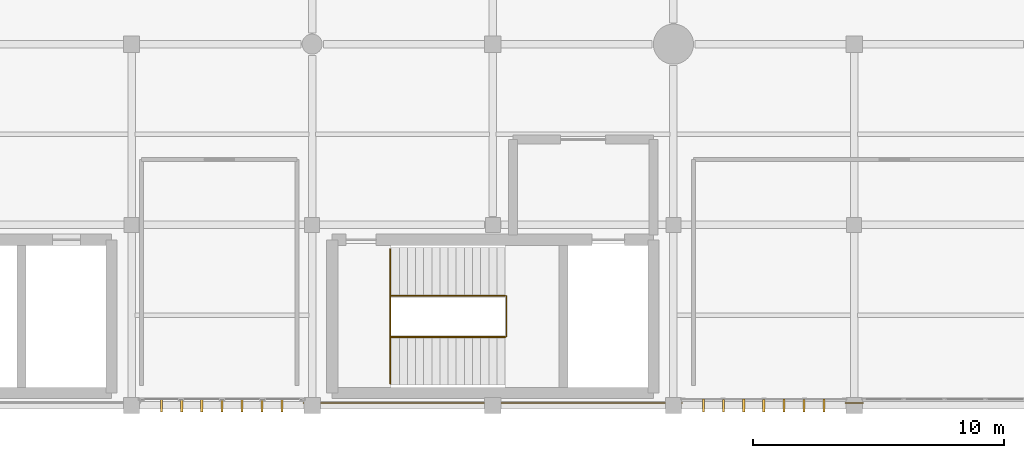
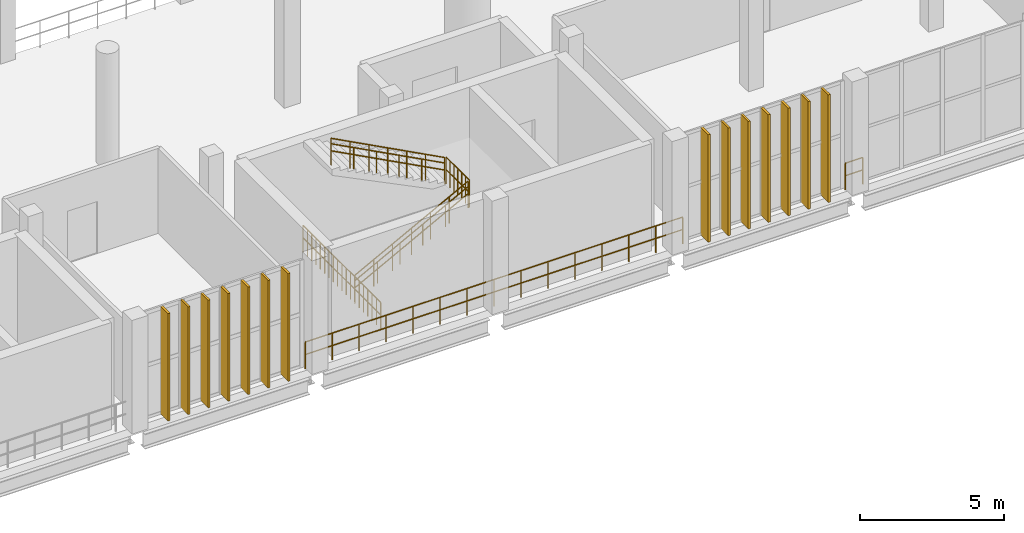
# One storey, part 93 of 105: 14 coverings, 8 railings.
"""IFC4 building model written with IfcOpenShell, lengths in metres."""

from ifc_helpers import new_model, si_unit, direction, frame, origin, origin_2d, place, context, subcontext, project, spatial, rectangle, circle, extrude, material, layer, layer_set, type_object, element, save


model = new_model("IFC4")

# Units and contexts
model_context = context("Model", 3, precision=1e-05, world=origin(), true_north=direction((0.0, 1.0)))
body_context = subcontext(model_context, "Body", "Model", "MODEL_VIEW")
ifc_project = project(units=[si_unit("LENGTHUNIT", "METRE"), si_unit("AREAUNIT", "SQUARE_METRE"), si_unit("VOLUMEUNIT", "CUBIC_METRE"), si_unit("PLANEANGLEUNIT", "RADIAN"), si_unit("MASSUNIT", "GRAM", prefix="KILO")], contexts=[model_context])

# Site, building, storey
site_placement = place(None, origin())
site = spatial("IfcSite", under=ifc_project, at=site_placement, CompositionType="ELEMENT")
building_placement = place(site_placement, origin())
building = spatial("IfcBuilding", under=site, at=building_placement, Name="Qandorah Velis Arena", CompositionType="ELEMENT")
storey_placement = place(building_placement, frame((0.0, 0.0, 13.800048828125)))
storey = spatial("IfcBuildingStorey", under=building, at=storey_placement, Name="L03", CompositionType="ELEMENT", Elevation=13.800048828125)

# Coverings
ifc_material_1 = material(Name="Champagne-bronze anodized aluminium 6063-T6", Category="aluminium")
ifc_layer = layer(ifc_material_1, 0.0849609375)
ifc_layer_set = layer_set([ifc_layer], Name="Champagne-bronze anodized aluminium 6063-T6")
covering_type = type_object("IfcCoveringType", Name="ARC-COV-FIN520", PredefinedType="CLADDING", material=ifc_layer_set)
for number, where, z_axis, x_axis, name in (
    (1, (66.0, -0.001953125, -0.01025390625), (0.0, 0.0, 1.0), (1.0, 0.0, 0.0), "Vertical champagne-bronze solar fin blade WNG-S-L03-09-001"),
    (2, (66.800048828125, -0.001953125, -0.01025390625), (0.0, 0.0, 1.0), (1.0, 0.0, 0.0), "Vertical champagne-bronze solar fin blade WNG-S-L03-09-002"),
    (3, (67.60009765625, -0.001953125, -0.01025390625), (0.0, 0.0, 1.0), (1.0, 0.0, 0.0), "Vertical champagne-bronze solar fin blade WNG-S-L03-09-003"),
    (4, (68.39990234375, -0.001953125, -0.01025390625), (0.0, 0.0, 1.0), (1.0, 0.0, 0.0), "Vertical champagne-bronze solar fin blade WNG-S-L03-09-004"),
    (5, (69.199951171875, -0.001953125, -0.01025390625), (0.0, 0.0, 1.0), (1.0, 0.0, 0.0), "Vertical champagne-bronze solar fin blade WNG-S-L03-09-005"),
    (6, (70.0, -0.001953125, -0.01025390625), (0.0, 0.0, 1.0), (1.0, 0.0, 0.0), "Vertical champagne-bronze solar fin blade WNG-S-L03-09-006"),
    (7, (70.800048828125, -0.001953125, -0.01025390625), (0.0, 0.0, 1.0), (1.0, 0.0, 0.0), "Vertical champagne-bronze solar fin blade WNG-S-L03-09-007"),
    (8, (87.60009765625, -0.001953125, -0.01025390625), (0.0, 0.0, 1.0), (1.0, 0.0, 0.0), "Vertical champagne-bronze solar fin blade WNG-S-L03-12-001"),
    (9, (88.39990234375, -0.001953125, -0.01025390625), (0.0, 0.0, 1.0), (1.0, 0.0, 0.0), "Vertical champagne-bronze solar fin blade WNG-S-L03-12-002"),
    (10, (89.199951171875, -0.001953125, -0.01025390625), (0.0, 0.0, 1.0), (1.0, 0.0, 0.0), "Vertical champagne-bronze solar fin blade WNG-S-L03-12-003"),
    (11, (90.0, -0.001953125, -0.01025390625), (0.0, 0.0, 1.0), (1.0, 0.0, 0.0), "Vertical champagne-bronze solar fin blade WNG-S-L03-12-004"),
    (12, (90.800048828125, -0.001953125, -0.01025390625), (0.0, 0.0, 1.0), (1.0, 0.0, 0.0), "Vertical champagne-bronze solar fin blade WNG-S-L03-12-005"),
    (13, (91.60009765625, -0.001953125, -0.01025390625), (0.0, 0.0, 1.0), (1.0, 0.0, 0.0), "Vertical champagne-bronze solar fin blade WNG-S-L03-12-006"),
    (14, (92.39990234375, -0.001953125, -0.01025390625), (0.0, 0.0, 1.0), (1.0, 0.0, 0.0), "Vertical champagne-bronze solar fin blade WNG-S-L03-12-007"),
):
    element("IfcCovering", number, at=place(storey_placement, frame(where, z_axis=z_axis, x_axis=x_axis)), inside=storey, type_object=covering_type, Name=name, PredefinedType="CLADDING", context=body_context, shape_type="SweptSolid", body=[
        extrude(rectangle(XDim=0.0849609375, YDim=0.52001953125, at=origin_2d()), origin(), (0.0, 0.0, 1.0), 4.550048828125),
    ])

# Railings
ifc_material_2 = material(Name="Stainless steel 316", Category="steel")
railing_type_1 = type_object("IfcRailingType", Name="ARC-RL-GRD1150", PredefinedType="GUARDRAIL", material=ifc_material_2)
railing_1_placement = place(storey_placement, frame((75.110107421875, 0.860107421875, 0.0)))
element("IfcRailing", 15, at=railing_1_placement, inside=storey, type_object=railing_type_1, Name="Stair ST2 landing well-slot guardrail L03", PredefinedType="GUARDRAIL", context=body_context, shape_type="SweptSolid", body=[
    extrude(circle(Radius=0.02392578125, at=origin_2d()), frame((0.0, 0.0, 1.1259765625), z_axis=(0.0, 1.0, 0.0), x_axis=(-1.0, 0.0, 0.0)), (0.0, 0.0, 1.0), 5.3798828125),
    extrude(circle(Radius=0.02392578125, at=origin_2d()), frame((0.0, 0.0, 0.597900390625), z_axis=(0.0, 1.0, 0.0), x_axis=(-1.0, 0.0, 0.0)), (0.0, 0.0, 1.0), 5.3798828125),
    extrude(circle(Radius=0.02099609375, at=origin_2d()), origin(), (0.0, 0.0, 1.0), 1.101806640625),
    extrude(circle(Radius=0.02099609375, at=origin_2d()), frame((0.0, 0.298828125, 0.0)), (0.0, 0.0, 1.0), 1.101806640625),
    extrude(circle(Radius=0.02099609375, at=origin_2d()), frame((0.0, 0.59765625, 0.0)), (0.0, 0.0, 1.0), 1.101806640625),
    extrude(circle(Radius=0.02099609375, at=origin_2d()), frame((0.0, 0.896728515625, 0.0)), (0.0, 0.0, 1.0), 1.101806640625),
    extrude(circle(Radius=0.02099609375, at=origin_2d()), frame((0.0, 1.195556640625, 0.0)), (0.0, 0.0, 1.0), 1.101806640625),
    extrude(circle(Radius=0.02099609375, at=origin_2d()), frame((0.0, 1.494384765625, 0.0)), (0.0, 0.0, 1.0), 1.101806640625),
    extrude(circle(Radius=0.02099609375, at=origin_2d()), frame((0.0, 1.793212890625, 0.0)), (0.0, 0.0, 1.0), 1.101806640625),
    extrude(circle(Radius=0.02099609375, at=origin_2d()), frame((0.0, 2.09228515625, 0.0)), (0.0, 0.0, 1.0), 1.101806640625),
    extrude(circle(Radius=0.02099609375, at=origin_2d()), frame((0.0, 2.39111328125, 0.0)), (0.0, 0.0, 1.0), 1.101806640625),
    extrude(circle(Radius=0.02099609375, at=origin_2d()), frame((0.0, 2.68994140625, 0.0)), (0.0, 0.0, 1.0), 1.101806640625),
    extrude(circle(Radius=0.02099609375, at=origin_2d()), frame((0.0, 2.98876953125, 0.0)), (0.0, 0.0, 1.0), 1.101806640625),
    extrude(circle(Radius=0.02099609375, at=origin_2d()), frame((0.0, 3.28759765625, 0.0)), (0.0, 0.0, 1.0), 1.101806640625),
    extrude(circle(Radius=0.02099609375, at=origin_2d()), frame((0.0, 3.586669921875, 0.0)), (0.0, 0.0, 1.0), 1.101806640625),
    extrude(circle(Radius=0.02099609375, at=origin_2d()), frame((0.0, 3.885498046875, 0.0)), (0.0, 0.0, 1.0), 1.101806640625),
    extrude(circle(Radius=0.02099609375, at=origin_2d()), frame((0.0, 4.184326171875, 0.0)), (0.0, 0.0, 1.0), 1.101806640625),
    extrude(circle(Radius=0.02099609375, at=origin_2d()), frame((0.0, 4.483154296875, 0.0)), (0.0, 0.0, 1.0), 1.101806640625),
    extrude(circle(Radius=0.02099609375, at=origin_2d()), frame((0.0, 4.7822265625, 0.0)), (0.0, 0.0, 1.0), 1.101806640625),
    extrude(circle(Radius=0.02099609375, at=origin_2d()), frame((0.0, 5.0810546875, 0.0)), (0.0, 0.0, 1.0), 1.101806640625),
    extrude(circle(Radius=0.02099609375, at=origin_2d()), frame((0.0, 5.3798828125, 0.0)), (0.0, 0.0, 1.0), 1.101806640625),
])
railing_2_placement = place(storey_placement, frame((79.74609375, 2.739990234375, 2.39990234375)))
element("IfcRailing", 16, at=railing_2_placement, inside=storey, type_object=railing_type_1, Name="Stair ST2 well guardrail (L03)", PredefinedType="GUARDRAIL", context=body_context, shape_type="SweptSolid", body=[
    extrude(circle(Radius=0.02392578125, at=origin_2d()), frame((0.0, 0.0, 1.1259765625), z_axis=(0.0, 1.0, 0.0), x_axis=(-1.0, 0.0, 0.0)), (0.0, 0.0, 1.0), 1.6201171875),
    extrude(circle(Radius=0.02392578125, at=origin_2d()), frame((0.0, 0.0, 0.597900390625), z_axis=(0.0, 1.0, 0.0), x_axis=(-1.0, 0.0, 0.0)), (0.0, 0.0, 1.0), 1.6201171875),
    extrude(circle(Radius=0.02099609375, at=origin_2d()), origin(), (0.0, 0.0, 1.0), 1.101806640625),
    extrude(circle(Radius=0.02099609375, at=origin_2d()), frame((0.0, 0.27001953125, 0.0)), (0.0, 0.0, 1.0), 1.101806640625),
    extrude(circle(Radius=0.02099609375, at=origin_2d()), frame((0.0, 0.5400390625, 0.0)), (0.0, 0.0, 1.0), 1.101806640625),
    extrude(circle(Radius=0.02099609375, at=origin_2d()), frame((0.0, 0.81005859375, 0.0)), (0.0, 0.0, 1.0), 1.101806640625),
    extrude(circle(Radius=0.02099609375, at=origin_2d()), frame((0.0, 1.080078125, 0.0)), (0.0, 0.0, 1.0), 1.101806640625),
    extrude(circle(Radius=0.02099609375, at=origin_2d()), frame((0.0, 1.35009765625, 0.0)), (0.0, 0.0, 1.0), 1.101806640625),
    extrude(circle(Radius=0.02099609375, at=origin_2d()), frame((0.0, 1.6201171875, 0.0)), (0.0, 0.0, 1.0), 1.101806640625),
])
railing_3_placement = place(storey_placement, frame((75.14990234375, 2.72998046875, 0.0)))
element("IfcRailing", 17, at=railing_3_placement, inside=storey, type_object=railing_type_1, Name="Stair ST2 inner flight 1 guardrail (L03)", PredefinedType="GUARDRAIL", context=body_context, shape_type="SweptSolid", body=[
    extrude(circle(Radius=0.02392578125, at=origin_2d()), frame((0.0, 0.0, 1.1259765625), z_axis=(0.883915174832, 0.0, 0.467647264187), x_axis=(0.0, 1.0, 0.0)), (0.0, 0.0, 1.0), 5.1318359375),
    extrude(circle(Radius=0.02392578125, at=origin_2d()), frame((0.0, 0.0, 0.597900390625), z_axis=(0.883915174832, 0.0, 0.467647264187), x_axis=(0.0, 1.0, 0.0)), (0.0, 0.0, 1.0), 5.1318359375),
    extrude(circle(Radius=0.02099609375, at=origin_2d()), origin(), (0.0, 0.0, 1.0), 1.101806640625),
    extrude(circle(Radius=0.02099609375, at=origin_2d()), frame((0.756103515625, 0.0, 0.39990234375)), (0.0, 0.0, 1.0), 1.101806640625),
    extrude(circle(Radius=0.02099609375, at=origin_2d()), frame((1.511962890625, 0.0, 0.800048828125)), (0.0, 0.0, 1.0), 1.101806640625),
    extrude(circle(Radius=0.02099609375, at=origin_2d()), frame((2.26806640625, 0.0, 1.199951171875)), (0.0, 0.0, 1.0), 1.101806640625),
    extrude(circle(Radius=0.02099609375, at=origin_2d()), frame((3.024169921875, 0.0, 1.599853515625)), (0.0, 0.0, 1.0), 1.101806640625),
    extrude(circle(Radius=0.02099609375, at=origin_2d()), frame((3.780029296875, 0.0, 2.0)), (0.0, 0.0, 1.0), 1.101806640625),
    extrude(circle(Radius=0.02099609375, at=origin_2d()), frame((4.5361328125, 0.0, 2.39990234375)), (0.0, 0.0, 1.0), 1.101806640625),
])
railing_4_placement = place(storey_placement, frame((79.68603515625, 4.3701171875, 2.39990234375)))
element("IfcRailing", 18, at=railing_4_placement, inside=storey, type_object=railing_type_1, Name="Stair ST2 inner flight 2 guardrail (L03)", PredefinedType="GUARDRAIL", context=body_context, shape_type="SweptSolid", body=[
    extrude(circle(Radius=0.02392578125, at=origin_2d()), frame((0.0, 0.0, 1.1259765625), z_axis=(-0.883895509492, 0.0, 0.46768443239), x_axis=(0.0, -1.0, 0.0)), (0.0, 0.0, 1.0), 5.132080078125),
    extrude(circle(Radius=0.02392578125, at=origin_2d()), frame((0.0, 0.0, 0.597900390625), z_axis=(-0.883895509492, 0.0, 0.46768443239), x_axis=(0.0, -1.0, 0.0)), (0.0, 0.0, 1.0), 5.132080078125),
    extrude(circle(Radius=0.02099609375, at=origin_2d()), origin(), (0.0, 0.0, 1.0), 1.101806640625),
    extrude(circle(Radius=0.02099609375, at=origin_2d()), frame((-0.756103515625, 0.0, 0.39990234375)), (0.0, 0.0, 1.0), 1.101806640625),
    extrude(circle(Radius=0.02099609375, at=origin_2d()), frame((-1.511962890625, 0.0, 0.800048828125)), (0.0, 0.0, 1.0), 1.101806640625),
    extrude(circle(Radius=0.02099609375, at=origin_2d()), frame((-2.26806640625, 0.0, 1.2001953125)), (0.0, 0.0, 1.0), 1.101806640625),
    extrude(circle(Radius=0.02099609375, at=origin_2d()), frame((-3.024169921875, 0.0, 1.60009765625)), (0.0, 0.0, 1.0), 1.101806640625),
    extrude(circle(Radius=0.02099609375, at=origin_2d()), frame((-3.780029296875, 0.0, 2.0)), (0.0, 0.0, 1.0), 1.101806640625),
    extrude(circle(Radius=0.02099609375, at=origin_2d()), frame((-4.5361328125, 0.0, 2.400146484375)), (0.0, 0.0, 1.0), 1.101806640625),
])
railing_5_placement = place(storey_placement, frame((93.949951171875, 0.10009765625, 0.0)))
element("IfcRailing", 19, at=railing_5_placement, inside=storey, type_object=railing_type_1, Name="Slab edge safety guardrail L03-207", PredefinedType="GUARDRAIL", context=body_context, shape_type="SweptSolid", body=[
    extrude(circle(Radius=0.02392578125, at=origin_2d()), frame((0.0, 0.0, 1.1259765625), z_axis=(-1.0, 0.0, 0.0), x_axis=(0.0, -1.0, 0.0)), (0.0, 0.0, 1.0), 0.699951171875),
    extrude(circle(Radius=0.02392578125, at=origin_2d()), frame((0.0, 0.0, 0.597900390625), z_axis=(-1.0, 0.0, 0.0), x_axis=(0.0, -1.0, 0.0)), (0.0, 0.0, 1.0), 0.699951171875),
    extrude(circle(Radius=0.02099609375, at=origin_2d()), origin(), (0.0, 0.0, 1.0), 1.101806640625),
    extrude(circle(Radius=0.02099609375, at=origin_2d()), frame((-0.699951171875, 0.0, 0.0)), (0.0, 0.0, 1.0), 1.101806640625),
])
railing_6_placement = place(storey_placement, frame((86.75, 0.10009765625, 0.0)))
element("IfcRailing", 20, at=railing_6_placement, inside=storey, type_object=railing_type_1, Name="Slab edge safety guardrail L03-208", PredefinedType="GUARDRAIL", context=body_context, shape_type="SweptSolid", body=[
    extrude(circle(Radius=0.02392578125, at=origin_2d()), frame((0.0, 0.0, 1.1259765625), z_axis=(-1.0, 0.0, 0.0), x_axis=(0.0, -1.0, 0.0)), (0.0, 0.0, 1.0), 15.10009765625),
    extrude(circle(Radius=0.02392578125, at=origin_2d()), frame((0.0, 0.0, 0.597900390625), z_axis=(-1.0, 0.0, 0.0), x_axis=(0.0, -1.0, 0.0)), (0.0, 0.0, 1.0), 15.10009765625),
    extrude(circle(Radius=0.02099609375, at=origin_2d()), origin(), (0.0, 0.0, 1.0), 1.101806640625),
    extrude(circle(Radius=0.02099609375, at=origin_2d()), frame((-1.07861328125, 0.0, 0.0)), (0.0, 0.0, 1.0), 1.101806640625),
    extrude(circle(Radius=0.02099609375, at=origin_2d()), frame((-2.1572265625, 0.0, 0.0)), (0.0, 0.0, 1.0), 1.101806640625),
    extrude(circle(Radius=0.02099609375, at=origin_2d()), frame((-3.23583984375, 0.0, 0.0)), (0.0, 0.0, 1.0), 1.101806640625),
    extrude(circle(Radius=0.02099609375, at=origin_2d()), frame((-4.314208984375, 0.0, 0.0)), (0.0, 0.0, 1.0), 1.101806640625),
    extrude(circle(Radius=0.02099609375, at=origin_2d()), frame((-5.392822265625, 0.0, 0.0)), (0.0, 0.0, 1.0), 1.101806640625),
    extrude(circle(Radius=0.02099609375, at=origin_2d()), frame((-6.471435546875, 0.0, 0.0)), (0.0, 0.0, 1.0), 1.101806640625),
    extrude(circle(Radius=0.02099609375, at=origin_2d()), frame((-7.550048828125, 0.0, 0.0)), (0.0, 0.0, 1.0), 1.101806640625),
    extrude(circle(Radius=0.02099609375, at=origin_2d()), frame((-8.628662109375, 0.0, 0.0)), (0.0, 0.0, 1.0), 1.101806640625),
    extrude(circle(Radius=0.02099609375, at=origin_2d()), frame((-9.707275390625, 0.0, 0.0)), (0.0, 0.0, 1.0), 1.101806640625),
    extrude(circle(Radius=0.02099609375, at=origin_2d()), frame((-10.785888671875, 0.0, 0.0)), (0.0, 0.0, 1.0), 1.101806640625),
    extrude(circle(Radius=0.02099609375, at=origin_2d()), frame((-11.8642578125, 0.0, 0.0)), (0.0, 0.0, 1.0), 1.101806640625),
    extrude(circle(Radius=0.02099609375, at=origin_2d()), frame((-12.94287109375, 0.0, 0.0)), (0.0, 0.0, 1.0), 1.101806640625),
    extrude(circle(Radius=0.02099609375, at=origin_2d()), frame((-14.021484375, 0.0, 0.0)), (0.0, 0.0, 1.0), 1.101806640625),
    extrude(circle(Radius=0.02099609375, at=origin_2d()), frame((-15.10009765625, 0.0, 0.0)), (0.0, 0.0, 1.0), 1.101806640625),
])
railing_type_2 = type_object("IfcRailingType", Name="ARC-RL-HND920", PredefinedType="HANDRAIL", material=ifc_material_2)
railing_7_placement = place(storey_placement, frame((75.14990234375, 2.72998046875, 0.0)))
element("IfcRailing", 21, at=railing_7_placement, inside=storey, type_object=railing_type_2, Name="Stair ST2 inner handrail 1 (L03)", PredefinedType="HANDRAIL", context=body_context, shape_type="SweptSolid", body=[
    extrude(circle(Radius=0.02392578125, at=origin_2d()), frame((0.0, 0.0, 0.89599609375), z_axis=(0.883915174832, 0.0, 0.467647264187), x_axis=(0.0, 1.0, 0.0)), (0.0, 0.0, 1.0), 5.1318359375),
    extrude(circle(Radius=0.02099609375, at=origin_2d()), origin(), (0.0, 0.0, 1.0), 0.871826171875),
    extrude(circle(Radius=0.02099609375, at=origin_2d()), frame((0.9072265625, 0.0, 0.47998046875)), (0.0, 0.0, 1.0), 0.871826171875),
    extrude(circle(Radius=0.02099609375, at=origin_2d()), frame((1.814453125, 0.0, 0.9599609375)), (0.0, 0.0, 1.0), 0.871826171875),
    extrude(circle(Radius=0.02099609375, at=origin_2d()), frame((2.7216796875, 0.0, 1.43994140625)), (0.0, 0.0, 1.0), 0.871826171875),
    extrude(circle(Radius=0.02099609375, at=origin_2d()), frame((3.62890625, 0.0, 1.919921875)), (0.0, 0.0, 1.0), 0.871826171875),
    extrude(circle(Radius=0.02099609375, at=origin_2d()), frame((4.5361328125, 0.0, 2.39990234375)), (0.0, 0.0, 1.0), 0.871826171875),
])
railing_8_placement = place(storey_placement, frame((79.68603515625, 4.3701171875, 2.39990234375)))
element("IfcRailing", 22, at=railing_8_placement, inside=storey, type_object=railing_type_2, Name="Stair ST2 inner handrail 2 (L03)", PredefinedType="HANDRAIL", context=body_context, shape_type="SweptSolid", body=[
    extrude(circle(Radius=0.02392578125, at=origin_2d()), frame((0.0, 0.0, 0.89599609375), z_axis=(-0.883895509492, 0.0, 0.46768443239), x_axis=(0.0, -1.0, 0.0)), (0.0, 0.0, 1.0), 5.132080078125),
    extrude(circle(Radius=0.02099609375, at=origin_2d()), origin(), (0.0, 0.0, 1.0), 0.871826171875),
    extrude(circle(Radius=0.02099609375, at=origin_2d()), frame((-0.9072265625, 0.0, 0.47998046875)), (0.0, 0.0, 1.0), 0.871826171875),
    extrude(circle(Radius=0.02099609375, at=origin_2d()), frame((-1.814453125, 0.0, 0.9599609375)), (0.0, 0.0, 1.0), 0.871826171875),
    extrude(circle(Radius=0.02099609375, at=origin_2d()), frame((-2.7216796875, 0.0, 1.440185546875)), (0.0, 0.0, 1.0), 0.871826171875),
    extrude(circle(Radius=0.02099609375, at=origin_2d()), frame((-3.62890625, 0.0, 1.920166015625)), (0.0, 0.0, 1.0), 0.871826171875),
    extrude(circle(Radius=0.02099609375, at=origin_2d()), frame((-4.5361328125, 0.0, 2.400146484375)), (0.0, 0.0, 1.0), 0.871826171875),
])

save(model, "model.ifc")
